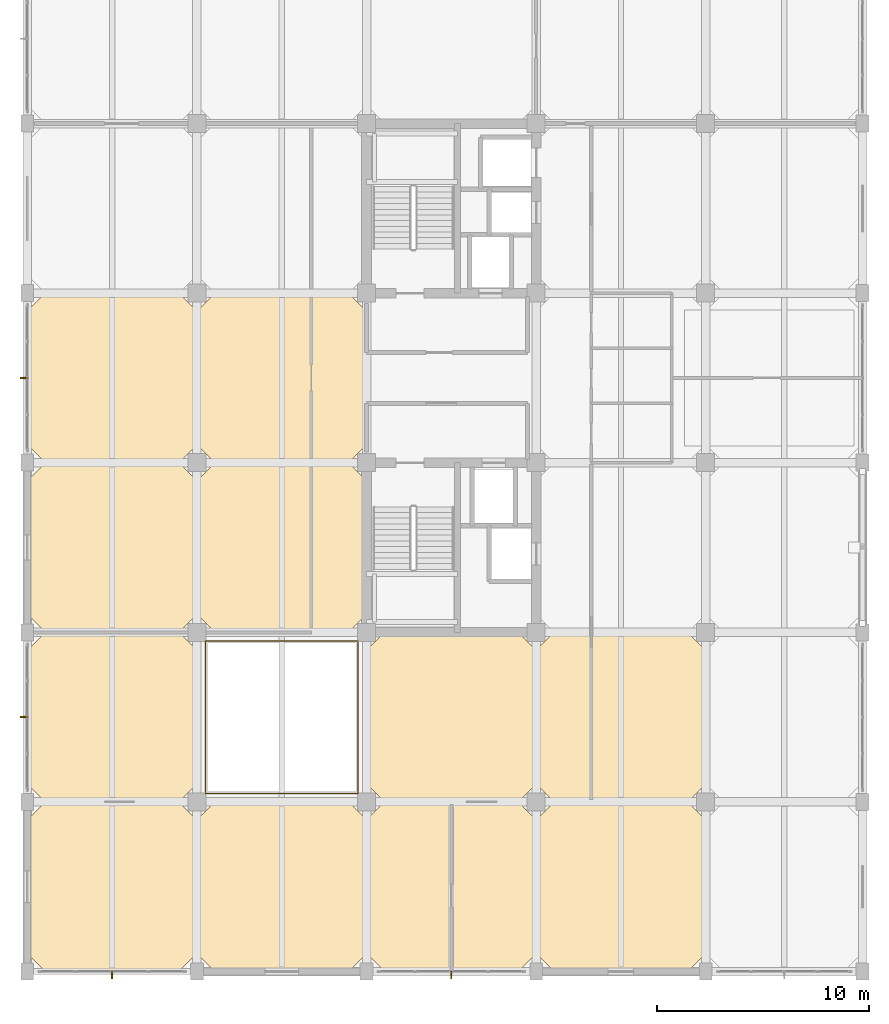
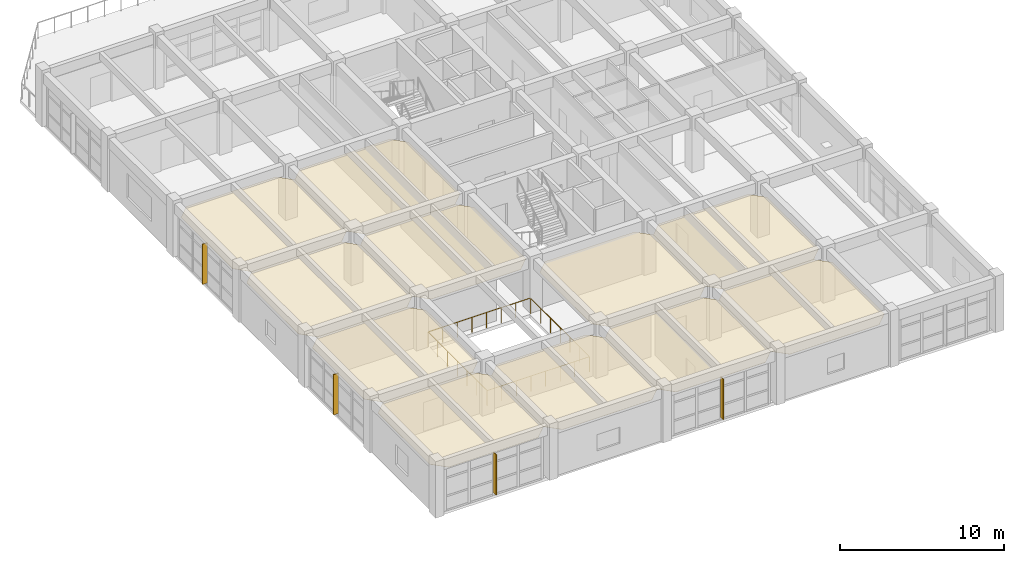
# One storey, part 27 of 30: 11 coverings, 4 shading devices, 2 railings.
"""IFC4 building model written with IfcOpenShell, lengths in metres."""

from ifc_helpers import new_model, si_unit, direction, frame, origin, origin_2d, place, context, subcontext, project, spatial, polyline, rectangle, circle, outline, extrude, material, layer, layer_set, type_object, element, save


model = new_model("IFC4")

# Units and contexts
model_context = context("Model", 3, precision=1e-05, world=origin(), true_north=direction((0.0, 1.0)))
body_context = subcontext(model_context, "Body", "Model", "MODEL_VIEW")
ifc_project = project(units=[si_unit("LENGTHUNIT", "METRE"), si_unit("AREAUNIT", "SQUARE_METRE"), si_unit("VOLUMEUNIT", "CUBIC_METRE"), si_unit("PLANEANGLEUNIT", "RADIAN"), si_unit("MASSUNIT", "GRAM", prefix="KILO")], contexts=[model_context])

# Site, building, storey
site_placement = place(None, origin())
site = spatial("IfcSite", under=ifc_project, at=site_placement, CompositionType="ELEMENT")
building_placement = place(site_placement, origin())
building = spatial("IfcBuilding", under=site, at=building_placement, Name="Canggui Botanical Conservatory", CompositionType="ELEMENT")
storey_placement = place(building_placement, frame((0.0, 0.0, 19.199951171875)))
storey = spatial("IfcBuildingStorey", under=building, at=storey_placement, Name="L05", CompositionType="ELEMENT", Elevation=19.199951171875)

# Coverings
ifc_material_1 = material(Name="Mineral Fibre Acoustic Board")
ifc_layer_1 = layer(ifc_material_1, 0.014892578125, Name="Mineral Fibre Acoustic Board")
ifc_layer_set_1 = layer_set([ifc_layer_1], Name="Mineral Fibre Acoustic Board")
covering_type_1 = type_object("IfcCoveringType", Name="COV-CEIL-15", PredefinedType="CEILING", material=ifc_layer_set_1)
covering_1_placement = place(storey_placement, frame((0.0, 0.0, 3.14501953125)))
element("IfcCovering", 1, at=covering_1_placement, inside=storey, type_object=covering_type_1, Name="Suspended Acoustic Ceiling L05-138-34", PredefinedType="CEILING", context=body_context, shape_type="SweptSolid", body=[
    extrude(outline(polyline([(138.85009765625, 34.0), (145.14990234375, 34.0), (146.0, 34.85009765625), (146.0, 41.14990234375), (145.14990234375, 42.0), (138.85009765625, 42.0), (138.0, 41.14990234375), (138.0, 34.85009765625), (138.85009765625, 34.0)])), origin(), (0.0, 0.0, 1.0), 0.01513671875),
])
covering_2_placement = place(storey_placement, frame((0.0, 0.0, 3.14501953125)))
element("IfcCovering", 2, at=covering_2_placement, inside=storey, type_object=covering_type_1, Name="Suspended Acoustic Ceiling L05-138-50", PredefinedType="CEILING", context=body_context, shape_type="SweptSolid", body=[
    extrude(outline(polyline([(138.85009765625, 50.0), (145.14990234375, 50.0), (146.0, 50.85009765625), (146.0, 57.14990234375), (145.14990234375, 58.0), (138.85009765625, 58.0), (138.0, 57.14990234375), (138.0, 50.85009765625), (138.85009765625, 50.0)])), origin(), (0.0, 0.0, 1.0), 0.01513671875),
])
covering_3_placement = place(storey_placement, frame((0.0, 0.0, 3.14501953125)))
element("IfcCovering", 3, at=covering_3_placement, inside=storey, type_object=covering_type_1, Name="Suspended Acoustic Ceiling L05-146-26", PredefinedType="CEILING", context=body_context, shape_type="SweptSolid", body=[
    extrude(outline(polyline([(146.85009765625, 26.0), (153.14990234375, 26.0), (154.0, 26.85009765625), (154.0, 33.14990234375), (153.14990234375, 34.0), (146.85009765625, 34.0), (146.0, 33.14990234375), (146.0, 26.85009765625), (146.85009765625, 26.0)])), origin(), (0.0, 0.0, 1.0), 0.01513671875),
])
covering_4_placement = place(storey_placement, frame((0.0, 0.0, 3.14501953125)))
element("IfcCovering", 4, at=covering_4_placement, inside=storey, type_object=covering_type_1, Name="Suspended Acoustic Ceiling L05-146-42", PredefinedType="CEILING", context=body_context, shape_type="SweptSolid", body=[
    extrude(outline(polyline([(146.85009765625, 42.0), (153.14990234375, 42.0), (154.0, 42.85009765625), (154.0, 49.14990234375), (153.14990234375, 50.0), (146.85009765625, 50.0), (146.0, 49.14990234375), (146.0, 42.85009765625), (146.85009765625, 42.0)])), origin(), (0.0, 0.0, 1.0), 0.01513671875),
])
covering_5_placement = place(storey_placement, frame((0.0, 0.0, 3.14501953125)))
element("IfcCovering", 5, at=covering_5_placement, inside=storey, type_object=covering_type_1, Name="Suspended Acoustic Ceiling L05-154-34", PredefinedType="CEILING", context=body_context, shape_type="SweptSolid", body=[
    extrude(outline(polyline([(154.85009765625, 34.0), (161.14990234375, 34.0), (162.0, 34.85009765625), (162.0, 41.14990234375), (161.14990234375, 42.0), (154.85009765625, 42.0), (154.0, 41.14990234375), (154.0, 34.85009765625), (154.85009765625, 34.0)])), origin(), (0.0, 0.0, 1.0), 0.01513671875),
])
covering_6_placement = place(storey_placement, frame((0.0, 0.0, 3.14501953125)))
element("IfcCovering", 6, at=covering_6_placement, inside=storey, type_object=covering_type_1, Name="Suspended Acoustic Ceiling L05-162-26", PredefinedType="CEILING", context=body_context, shape_type="SweptSolid", body=[
    extrude(outline(polyline([(162.85009765625, 26.0), (169.14990234375, 26.0), (170.0, 26.85009765625), (170.0, 33.14990234375), (169.14990234375, 34.0), (162.85009765625, 34.0), (162.0, 33.14990234375), (162.0, 26.85009765625), (162.85009765625, 26.0)])), origin(), (0.0, 0.0, 1.0), 0.01513671875),
])
ifc_material_2 = material(Name="Perforated Gypsum Acoustic Panel")
ifc_layer_2 = layer(ifc_material_2, 0.02001953125, Name="Perforated Gypsum Acoustic Panel")
ifc_layer_set_2 = layer_set([ifc_layer_2], Name="Perforated Gypsum Acoustic Panel")
covering_type_2 = type_object("IfcCoveringType", Name="COV-CEIL-20", PredefinedType="CEILING", material=ifc_layer_set_2)
covering_7_placement = place(storey_placement, frame((0.0, 0.0, 3.14013671875)))
element("IfcCovering", 7, at=covering_7_placement, inside=storey, type_object=covering_type_2, Name="Suspended Acoustic Ceiling L05-138-26", PredefinedType="CEILING", context=body_context, shape_type="SweptSolid", body=[
    extrude(outline(polyline([(138.85009765625, 26.0), (145.14990234375, 26.0), (146.0, 26.85009765625), (146.0, 33.14990234375), (145.14990234375, 34.0), (138.85009765625, 34.0), (138.0, 33.14990234375), (138.0, 26.85009765625), (138.85009765625, 26.0)])), origin(), (0.0, 0.0, 1.0), 0.02001953125),
])
covering_8_placement = place(storey_placement, frame((0.0, 0.0, 3.14013671875)))
element("IfcCovering", 8, at=covering_8_placement, inside=storey, type_object=covering_type_2, Name="Suspended Acoustic Ceiling L05-138-42", PredefinedType="CEILING", context=body_context, shape_type="SweptSolid", body=[
    extrude(outline(polyline([(138.85009765625, 42.0), (145.14990234375, 42.0), (146.0, 42.85009765625), (146.0, 49.14990234375), (145.14990234375, 50.0), (138.85009765625, 50.0), (138.0, 49.14990234375), (138.0, 42.85009765625), (138.85009765625, 42.0)])), origin(), (0.0, 0.0, 1.0), 0.02001953125),
])
covering_9_placement = place(storey_placement, frame((0.0, 0.0, 3.14013671875)))
element("IfcCovering", 9, at=covering_9_placement, inside=storey, type_object=covering_type_2, Name="Suspended Acoustic Ceiling L05-146-50", PredefinedType="CEILING", context=body_context, shape_type="SweptSolid", body=[
    extrude(outline(polyline([(146.85009765625, 50.0), (153.14990234375, 50.0), (154.0, 50.85009765625), (154.0, 57.14990234375), (153.14990234375, 58.0), (146.85009765625, 58.0), (146.0, 57.14990234375), (146.0, 50.85009765625), (146.85009765625, 50.0)])), origin(), (0.0, 0.0, 1.0), 0.02001953125),
])
covering_10_placement = place(storey_placement, frame((0.0, 0.0, 3.14013671875)))
element("IfcCovering", 10, at=covering_10_placement, inside=storey, type_object=covering_type_2, Name="Suspended Acoustic Ceiling L05-154-26", PredefinedType="CEILING", context=body_context, shape_type="SweptSolid", body=[
    extrude(outline(polyline([(154.85009765625, 26.0), (161.14990234375, 26.0), (162.0, 26.85009765625), (162.0, 33.14990234375), (161.14990234375, 34.0), (154.85009765625, 34.0), (154.0, 33.14990234375), (154.0, 26.85009765625), (154.85009765625, 26.0)])), origin(), (0.0, 0.0, 1.0), 0.02001953125),
])
covering_11_placement = place(storey_placement, frame((0.0, 0.0, 3.14013671875)))
element("IfcCovering", 11, at=covering_11_placement, inside=storey, type_object=covering_type_2, Name="Suspended Acoustic Ceiling L05-162-34", PredefinedType="CEILING", context=body_context, shape_type="SweptSolid", body=[
    extrude(outline(polyline([(162.85009765625, 34.0), (169.14990234375, 34.0), (170.0, 34.85009765625), (170.0, 41.14990234375), (169.14990234375, 42.0), (162.85009765625, 42.0), (162.0, 41.14990234375), (162.0, 34.85009765625), (162.85009765625, 34.0)])), origin(), (0.0, 0.0, 1.0), 0.02001953125),
])

# Railings
ifc_material_3 = material(Name="Laminated Safety Glass", Category="glass")
railing_type = type_object("IfcRailingType", Name="RAIL-VOID-1150", PredefinedType="BALUSTRADE", material=ifc_material_3)
railing_1_placement = place(storey_placement, frame((146.39990234375, 34.39990234375, 0.0)))
element("IfcRailing", 12, at=railing_1_placement, inside=storey, type_object=railing_type, Name="Rare Book Gallery L05 Overlook Balustrade Part A", PredefinedType="BALUSTRADE", context=body_context, shape_type="SweptSolid", body=[
    extrude(circle(Radius=0.02392578125, at=origin_2d()), frame((0.0, 0.0, 1.1259765625), z_axis=(1.0, 0.0, 0.0), x_axis=(0.0, 1.0, 0.0)), (0.0, 0.0, 1.0), 7.2001953125),
    extrude(circle(Radius=0.02392578125, at=origin_2d()), frame((7.2001953125, 0.0, 1.1259765625), z_axis=(0.0, 1.0, 0.0), x_axis=(-1.0, 0.0, 0.0)), (0.0, 0.0, 1.0), 7.135009765625),
    extrude(circle(Radius=0.02099609375, at=origin_2d()), origin(), (0.0, 0.0, 1.0), 1.101806640625),
    extrude(circle(Radius=0.02099609375, at=origin_2d()), frame((1.028564453125, 0.0, 0.0)), (0.0, 0.0, 1.0), 1.101806640625),
    extrude(circle(Radius=0.02099609375, at=origin_2d()), frame((2.05712890625, 0.0, 0.0)), (0.0, 0.0, 1.0), 1.101806640625),
    extrude(circle(Radius=0.02099609375, at=origin_2d()), frame((3.085693359375, 0.0, 0.0)), (0.0, 0.0, 1.0), 1.101806640625),
    extrude(circle(Radius=0.02099609375, at=origin_2d()), frame((4.114501953125, 0.0, 0.0)), (0.0, 0.0, 1.0), 1.101806640625),
    extrude(circle(Radius=0.02099609375, at=origin_2d()), frame((5.14306640625, 0.0, 0.0)), (0.0, 0.0, 1.0), 1.101806640625),
    extrude(circle(Radius=0.02099609375, at=origin_2d()), frame((6.171630859375, 0.0, 0.0)), (0.0, 0.0, 1.0), 1.101806640625),
    extrude(circle(Radius=0.02099609375, at=origin_2d()), frame((7.2001953125, 0.0, 0.0)), (0.0, 0.0, 1.0), 1.101806640625),
    extrude(circle(Radius=0.02099609375, at=origin_2d()), frame((7.2001953125, 1.189208984375, 0.0)), (0.0, 0.0, 1.0), 1.101806640625),
    extrude(circle(Radius=0.02099609375, at=origin_2d()), frame((7.2001953125, 2.37841796875, 0.0)), (0.0, 0.0, 1.0), 1.101806640625),
    extrude(circle(Radius=0.02099609375, at=origin_2d()), frame((7.2001953125, 3.5673828125, 0.0)), (0.0, 0.0, 1.0), 1.101806640625),
    extrude(circle(Radius=0.02099609375, at=origin_2d()), frame((7.2001953125, 4.756591796875, 0.0)), (0.0, 0.0, 1.0), 1.101806640625),
    extrude(circle(Radius=0.02099609375, at=origin_2d()), frame((7.2001953125, 5.94580078125, 0.0)), (0.0, 0.0, 1.0), 1.101806640625),
    extrude(circle(Radius=0.02099609375, at=origin_2d()), frame((7.2001953125, 7.135009765625, 0.0)), (0.0, 0.0, 1.0), 1.101806640625),
])
railing_2_placement = place(storey_placement, frame((153.60009765625, 41.60009765625, 0.0)))
element("IfcRailing", 13, at=railing_2_placement, inside=storey, type_object=railing_type, Name="Rare Book Gallery L05 Overlook Balustrade Part B", PredefinedType="BALUSTRADE", context=body_context, shape_type="SweptSolid", body=[
    extrude(circle(Radius=0.02392578125, at=origin_2d()), frame((0.0, 0.0, 1.1259765625), z_axis=(-1.0, 0.0, 0.0), x_axis=(0.0, -1.0, 0.0)), (0.0, 0.0, 1.0), 7.2001953125),
    extrude(circle(Radius=0.02392578125, at=origin_2d()), frame((-7.2001953125, 0.0, 1.1259765625), z_axis=(0.0, -1.0, 0.0), x_axis=(1.0, 0.0, 0.0)), (0.0, 0.0, 1.0), 7.135009765625),
    extrude(circle(Radius=0.02099609375, at=origin_2d()), origin(), (0.0, 0.0, 1.0), 1.101806640625),
    extrude(circle(Radius=0.02099609375, at=origin_2d()), frame((-1.028564453125, 0.0, 0.0)), (0.0, 0.0, 1.0), 1.101806640625),
    extrude(circle(Radius=0.02099609375, at=origin_2d()), frame((-2.05712890625, 0.0, 0.0)), (0.0, 0.0, 1.0), 1.101806640625),
    extrude(circle(Radius=0.02099609375, at=origin_2d()), frame((-3.085693359375, 0.0, 0.0)), (0.0, 0.0, 1.0), 1.101806640625),
    extrude(circle(Radius=0.02099609375, at=origin_2d()), frame((-4.114501953125, 0.0, 0.0)), (0.0, 0.0, 1.0), 1.101806640625),
    extrude(circle(Radius=0.02099609375, at=origin_2d()), frame((-5.14306640625, 0.0, 0.0)), (0.0, 0.0, 1.0), 1.101806640625),
    extrude(circle(Radius=0.02099609375, at=origin_2d()), frame((-6.171630859375, 0.0, 0.0)), (0.0, 0.0, 1.0), 1.101806640625),
    extrude(circle(Radius=0.02099609375, at=origin_2d()), frame((-7.2001953125, 0.0, 0.0)), (0.0, 0.0, 1.0), 1.101806640625),
    extrude(circle(Radius=0.02099609375, at=origin_2d()), frame((-7.2001953125, -1.189208984375, 0.0)), (0.0, 0.0, 1.0), 1.101806640625),
    extrude(circle(Radius=0.02099609375, at=origin_2d()), frame((-7.2001953125, -2.37841796875, 0.0)), (0.0, 0.0, 1.0), 1.101806640625),
    extrude(circle(Radius=0.02099609375, at=origin_2d()), frame((-7.2001953125, -3.5673828125, 0.0)), (0.0, 0.0, 1.0), 1.101806640625),
    extrude(circle(Radius=0.02099609375, at=origin_2d()), frame((-7.2001953125, -4.756591796875, 0.0)), (0.0, 0.0, 1.0), 1.101806640625),
    extrude(circle(Radius=0.02099609375, at=origin_2d()), frame((-7.2001953125, -5.94580078125, 0.0)), (0.0, 0.0, 1.0), 1.101806640625),
    extrude(circle(Radius=0.02099609375, at=origin_2d()), frame((-7.2001953125, -7.135009765625, 0.0)), (0.0, 0.0, 1.0), 1.101806640625),
])

# Shading devices
ifc_material_4 = material(Name="Anodised Aluminium", Category="aluminium")
shading_device_type = type_object("IfcShadingDeviceType", Name="SHD-FIN02", PredefinedType="AWNING", material=ifc_material_4)
for number, where, z_axis, x_axis, name in (
    (14, (158.0, 25.8349609375, 0.199951171875), (0.0, 0.0, 1.0), (-1.0, 0.0, 0.0), "Solar Shading Fin CW-TWR-L05-03"),
    (15, (142.0, 25.8349609375, 0.199951171875), (0.0, 0.0, 1.0), (-1.0, 0.0, 0.0), "Solar Shading Fin CW-TWR-L05-05"),
    (16, (137.8349609375, 38.0, 0.199951171875), (0.0, 0.0, 1.0), (0.0, 1.0, 0.0), "Solar Shading Fin CW-TWR-L05-07"),
    (17, (137.8349609375, 54.0, 0.199951171875), (0.0, 0.0, 1.0), (0.0, 1.0, 0.0), "Solar Shading Fin CW-TWR-L05-09"),
):
    element("IfcShadingDevice", number, at=place(storey_placement, frame(where, z_axis=z_axis, x_axis=x_axis)), inside=storey, type_object=shading_device_type, Name=name, PredefinedType="AWNING", context=body_context, shape_type="SweptSolid", body=[
        extrude(rectangle(XDim=0.06005859375, YDim=0.360107421875, at=origin_2d()), origin(), (0.0, 0.0, 1.0), 3.0),
    ])

save(model, "model.ifc")
